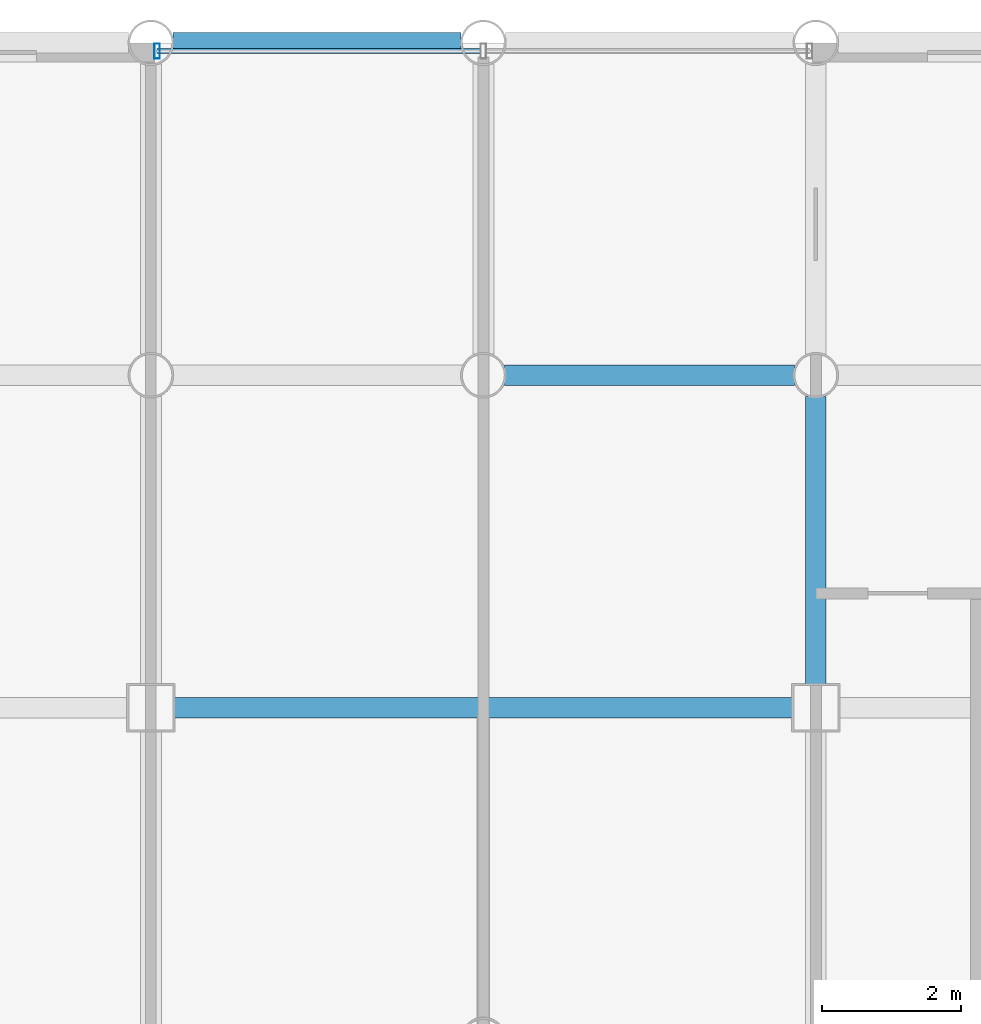
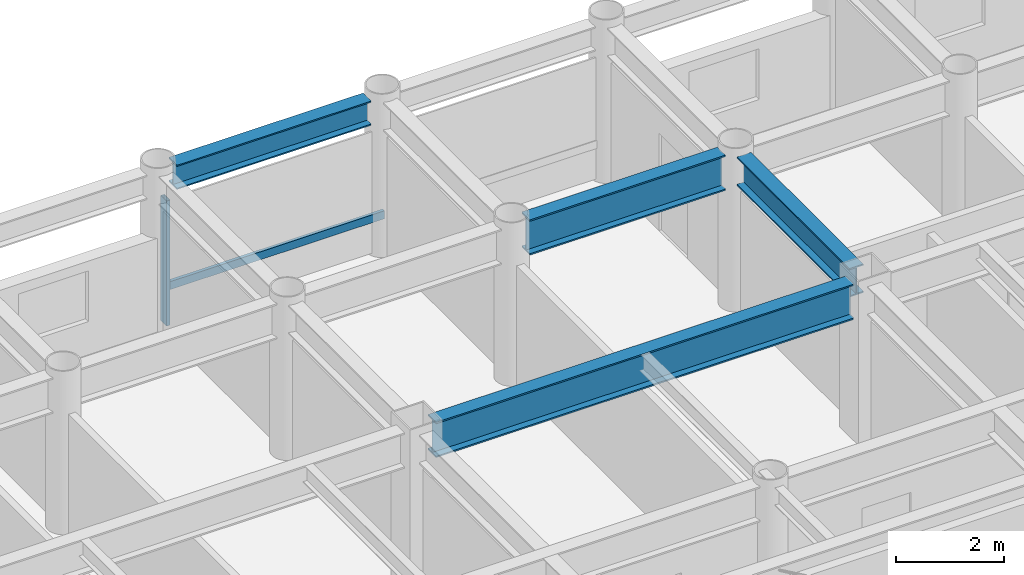
# One storey, part 12 of 21: 4 beams, 2 members, 1 element without a shape of its own.
"""IFC4 building model written with IfcOpenShell, lengths in metres."""

import ifcopenshell
import ifcopenshell.guid

model = None  # the IFC model being written
_history = None  # IfcOwnerHistory: only IFC2X3 demands one
_inside = {}  # id of a spatial element -> (the spatial element, [elements in it])
_under = {}  # id of a project, library or spatial element -> (it, [spatial elements below it])
_declared = {}  # id of a project -> (the project, [libraries it declares])
_typed = {}  # id of a type object -> (the type object, [elements of that type])
_made_of = {}  # id of a material, layer set ... -> (it, [elements and type objects made of it])


def new_model(schema):
    """Start an empty IFC model of exactly this schema.

    Asked for "IFC4X3", IfcOpenShell would pick the latest addendum, in which some entities
    have other attributes; the version numbers below select the first issue.
    IFC2X3 requires an IfcOwnerHistory on every rooted entity: one is made here for all.
    """
    global model, _history
    if schema == "IFC4X3":
        model = ifcopenshell.file(schema_version=(4, 3, 0, 0))
    else:
        model = ifcopenshell.file(schema=schema)
    _inside.clear()
    _under.clear()
    _declared.clear()
    _typed.clear()
    _made_of.clear()
    _history = None
    if model.schema == "IFC2X3":
        org = make("IfcOrganization", Name="unknown")
        user = make(
            "IfcPersonAndOrganization",
            ThePerson=make("IfcPerson", FamilyName="unknown"),
            TheOrganization=org,
        )
        app = make(
            "IfcApplication",
            ApplicationDeveloper=org,
            Version="unknown",
            ApplicationFullName="unknown",
            ApplicationIdentifier="unknown",
        )
        _history = make(
            "IfcOwnerHistory",
            OwningUser=user,
            OwningApplication=app,
            ChangeAction="ADDED",
            CreationDate=0,
        )
    return model


def make(cls, **values):
    """One entity of the class cls with the attributes given. An attribute that is None is left unset."""
    return model.create_entity(
        cls, **{name: value for name, value in values.items() if value is not None}
    )


def rooted(cls, **values):
    """An entity with a GlobalId (a new one), such as an element, a storey or a relation."""
    return make(cls, GlobalId=ifcopenshell.guid.new(), OwnerHistory=_history, **values)


def si_unit(unit_type, name, prefix=None):
    """IfcSIUnit, for example si_unit("LENGTHUNIT", "METRE", prefix="MILLI")."""
    return make("IfcSIUnit", UnitType=unit_type, Prefix=prefix, Name=name)


def assignment(units):
    """IfcUnitAssignment: the units of a project."""
    return None if units is None else make("IfcUnitAssignment", Units=units)


def point(xyz):
    """IfcCartesianPoint."""
    return None if xyz is None else make("IfcCartesianPoint", Coordinates=xyz)


def direction(xyz):
    """IfcDirection."""
    return None if xyz is None else make("IfcDirection", DirectionRatios=xyz)


def frame(location, z_axis=None, x_axis=None):
    """IfcAxis2Placement3D, a coordinate frame: its origin and axes. An axis left out is left unset."""
    return make(
        "IfcAxis2Placement3D",
        Location=point(location),
        Axis=direction(z_axis),
        RefDirection=direction(x_axis),
    )


def frame_2d(location, x_axis=None):
    """IfcAxis2Placement2D, a coordinate frame in the plane: its origin and x axis."""
    return make(
        "IfcAxis2Placement2D", Location=point(location), RefDirection=direction(x_axis)
    )


def origin():
    """The frame at (0, 0, 0) with its axes left unset."""
    return frame((0.0, 0.0, 0.0))


def origin_2d():
    """The frame at (0, 0) in the plane with its x axis left unset."""
    return frame_2d((0.0, 0.0))


def place(relative_to, where):
    """IfcLocalPlacement: puts the frame where relative to a parent placement (None: the world)."""
    return make(
        "IfcLocalPlacement", PlacementRelTo=relative_to, RelativePlacement=where
    )


def context(
    kind, dimensions, precision=None, world=None, true_north=None, identifier=None
):
    """IfcGeometricRepresentationContext, for example the 3D "Model" context."""
    return make(
        "IfcGeometricRepresentationContext",
        ContextIdentifier=identifier,
        ContextType=kind,
        CoordinateSpaceDimension=dimensions,
        Precision=precision,
        WorldCoordinateSystem=world,
        TrueNorth=true_north,
    )


def subcontext(parent, identifier, kind, view, scale=None):
    """IfcGeometricRepresentationSubContext, for example "Body" below "Model"."""
    return make(
        "IfcGeometricRepresentationSubContext",
        ContextIdentifier=identifier,
        ContextType=kind,
        ParentContext=parent,
        TargetScale=scale,
        TargetView=view,
    )


def project(units=None, contexts=None):
    """IfcProject with its units and contexts."""
    return rooted(
        "IfcProject",
        Name="project",
        RepresentationContexts=contexts,
        UnitsInContext=assignment(units),
    )


def spatial(cls, under=None, at=None, **own):
    """A site, building, storey or space (cls), placed at a placement, below another one or the project."""
    s = rooted(cls, ObjectPlacement=at, **own)
    if under is not None:
        _under.setdefault(under.id(), (under, []))[1].append(s)
    return s


def profile(cls, at=None, kind="AREA", **sizes):
    """A parametric profile (cls). Its sizes go by their IFC names, for example OverallWidth=200.0."""
    return make(cls, ProfileType=kind, Position=at, **sizes)


def hollow_rectangle(**sizes):
    """IfcRectangleHollowProfileDef."""
    return profile("IfcRectangleHollowProfileDef", **sizes)


def i_section(**sizes):
    """IfcIShapeProfileDef."""
    return profile("IfcIShapeProfileDef", **sizes)


def extrude(swept, where, along, depth):
    """IfcExtrudedAreaSolid: the profile swept, set in the frame where, extruded along a direction by depth."""
    return make(
        "IfcExtrudedAreaSolid",
        SweptArea=swept,
        Position=where,
        ExtrudedDirection=direction(along),
        Depth=depth,
    )


def shape(context_of_items, identifier, shape_type, items):
    """IfcShapeRepresentation: the items that make up one representation, for example the "Body"."""
    return make(
        "IfcShapeRepresentation",
        ContextOfItems=context_of_items,
        RepresentationIdentifier=identifier,
        RepresentationType=shape_type,
        Items=items,
    )


def material(Name=None, Category=None):
    """IfcMaterial."""
    return make("IfcMaterial", Name=Name, Category=Category)


def layer(
    of_material, thickness, ventilated=None, Name=None, Category=None, Priority=None
):
    """IfcMaterialLayer: one layer of a wall or slab, of a material (None: an air gap)."""
    return make(
        "IfcMaterialLayer",
        Material=of_material,
        LayerThickness=thickness,
        IsVentilated=ventilated,
        Name=Name,
        Category=Category,
        Priority=Priority,
    )


def layer_set(layers, Name=None):
    """IfcMaterialLayerSet."""
    return make("IfcMaterialLayerSet", MaterialLayers=layers, LayerSetName=Name)


def material_profile(
    of_material, cross_section, Name=None, Category=None, Priority=None
):
    """IfcMaterialProfile: a cross section and its material."""
    return make(
        "IfcMaterialProfile",
        Name=Name,
        Material=of_material,
        Profile=cross_section,
        Priority=Priority,
        Category=Category,
    )


def profile_set(profiles, Name=None, composite=None):
    """IfcMaterialProfileSet."""
    return make(
        "IfcMaterialProfileSet",
        Name=Name,
        MaterialProfiles=profiles,
        CompositeProfile=composite,
    )


def made_of(thing, what):
    """Note that an element or type object is made of a material, layer set ...; save() writes the relation."""
    if what is not None:
        _made_of.setdefault(what.id(), (what, []))[1].append(thing)
    return thing


def type_object(cls, material=None, **own):
    """A type object (cls), such as IfcWallType, which elements share."""
    return made_of(rooted(cls, **own), material)


def element(
    cls,
    number,
    at=None,
    inside=None,
    cuts=None,
    type_object=None,
    material=None,
    context=None,
    identifier="Body",
    shape_type=None,
    held_by="IfcProductDefinitionShape",
    body=None,
    shapes=None,
    **own,
):
    """One element of the class cls, such as IfcWall. Its Tag is "e" and its number.

    at: its placement. inside: the storey or other place that contains it. cuts: it is an
    opening in that element (IfcRelVoidsElement). A single representation is given by context,
    identifier, shape_type and body (its items); several are given by shapes. held_by: the class
    of the entity that holds the representations. save() writes the other relations.
    """
    e = rooted(cls, Tag="e%d" % number, ObjectPlacement=at, **own)
    if body is not None:
        shapes = [shape(context, identifier, shape_type, body)]
    if shapes is not None:
        e.Representation = make(held_by, Representations=shapes)
    if inside is not None:
        _inside.setdefault(inside.id(), (inside, []))[1].append(e)
    if cuts is not None:
        rooted(
            "IfcRelVoidsElement", RelatingBuildingElement=cuts, RelatedOpeningElement=e
        )
    if type_object is not None:
        _typed.setdefault(type_object.id(), (type_object, []))[1].append(e)
    return made_of(e, material)


def aggregate(whole, parts):
    """IfcRelAggregates: a whole, such as a stair, and the parts it consists of."""
    return rooted("IfcRelAggregates", RelatingObject=whole, RelatedObjects=parts)


def save(model, path):
    """Write the relations noted so far, then the file.

    IfcRelAggregates (storeys below a building ...), IfcRelContainedInSpatialStructure (elements
    in a storey), IfcRelDefinesByType, IfcRelAssociatesMaterial and IfcRelDeclares: one each for
    every whole, place, type object, material and project.
    """
    for whole, parts in _under.values():
        aggregate(whole, parts)
    for where, things in _inside.values():
        rooted(
            "IfcRelContainedInSpatialStructure",
            RelatedElements=things,
            RelatingStructure=where,
        )
    for kind, things in _typed.values():
        rooted("IfcRelDefinesByType", RelatedObjects=things, RelatingType=kind)
    for what, things in _made_of.values():
        rooted("IfcRelAssociatesMaterial", RelatedObjects=things, RelatingMaterial=what)
    for by, libraries in _declared.values():
        rooted("IfcRelDeclares", RelatingContext=by, RelatedDefinitions=libraries)
    model.write(path)


model = new_model("IFC4")

# Units and contexts
model_context = context("Model", 3, precision=1e-05, world=origin(), true_north=direction((0.0, 1.0)))
body_context = subcontext(model_context, "Body", "Model", "MODEL_VIEW")
ifc_project = project(units=[si_unit("LENGTHUNIT", "METRE"), si_unit("AREAUNIT", "SQUARE_METRE"), si_unit("VOLUMEUNIT", "CUBIC_METRE"), si_unit("PLANEANGLEUNIT", "RADIAN"), si_unit("MASSUNIT", "GRAM", prefix="KILO")], contexts=[model_context])

# Site, building, storey
site_placement = place(None, origin())
site = spatial("IfcSite", under=ifc_project, at=site_placement, CompositionType="ELEMENT")
building_placement = place(site_placement, origin())
building = spatial("IfcBuilding", under=site, at=building_placement, Name="Kallvorn Hotel Tower", CompositionType="ELEMENT")
storey_placement = place(building_placement, frame((0.0, 0.0, 139.60009765625)))
storey = spatial("IfcBuildingStorey", under=building, at=storey_placement, Name="L34", CompositionType="ELEMENT", Elevation=139.60009765625)

# Beams
ifc_material_1 = material(Name="Structural steel S355JR", Category="steel")
ifc_material_profile_1 = material_profile(ifc_material_1, i_section(OverallWidth=0.300048828125, OverallDepth=0.550048828125, WebThickness=0.014892578125, FlangeThickness=0.029052734375, at=origin_2d()), Name="HE 550 B")
ifc_profile_set_1 = profile_set([ifc_material_profile_1], Name="Structural steel S355JR")
beam_type_1 = type_object("IfcBeamType", Name="BM_HE550B", PredefinedType="SPANDREL", material=ifc_profile_set_1)
beam_1_placement = place(storey_placement, frame((-4.47998046875, 24.0, 3.244873046875), z_axis=(1.0, 0.0, 0.0), x_axis=(0.0, 1.0, 0.0)))
element("IfcBeam", 1, at=beam_1_placement, inside=storey, type_object=beam_type_1, Name="L35 Perimeter Spandrel 168", PredefinedType="SPANDREL", context=body_context, shape_type="SweptSolid", body=[
    extrude(i_section(OverallWidth=0.300048828125, OverallDepth=0.550048828125, WebThickness=0.014892578125, FlangeThickness=0.029052734375, at=origin_2d()), origin(), (0.0, 0.0, 1.0), 4.159912109375),
])
ifc_material_2 = material(Name="Structural steel S355JR", Category="steel")
ifc_material_profile_2 = material_profile(ifc_material_2, i_section(OverallWidth=0.300048828125, OverallDepth=0.64990234375, WebThickness=0.01611328125, FlangeThickness=0.031005859375, at=origin_2d()), Name="HE 650 B")
ifc_profile_set_2 = profile_set([ifc_material_profile_2], Name="Structural steel S355JR")
beam_type_2 = type_object("IfcBeamType", Name="BM_HE650B", PredefinedType="BEAM", material=ifc_profile_set_2)
beam_2_placement = place(storey_placement, frame((4.800048828125, 14.72509765625, 3.19482421875), z_axis=(0.0, 1.0, 0.0), x_axis=(-1.0, 0.0, 0.0)))
element("IfcBeam", 2, at=beam_2_placement, inside=storey, type_object=beam_type_2, Name="L35 Primary Y-Girder 117", PredefinedType="BEAM", context=body_context, shape_type="SweptSolid", body=[
    extrude(i_section(OverallWidth=0.300048828125, OverallDepth=0.64990234375, WebThickness=0.01611328125, FlangeThickness=0.031005859375, at=origin_2d()), origin(), (0.0, 0.0, 1.0), 4.169921875),
])
ifc_material_3 = material(Name="Structural steel S355JR", Category="steel")
ifc_material_profile_3 = material_profile(ifc_material_3, i_section(OverallWidth=0.300048828125, OverallDepth=0.800048828125, WebThickness=0.017578125, FlangeThickness=0.032958984375, at=origin_2d()), Name="HE 800 B")
ifc_profile_set_3 = profile_set([ifc_material_profile_3], Name="Structural steel S355JR")
beam_type_3 = type_object("IfcBeamType", Name="BM_HE800B", PredefinedType="BEAM", material=ifc_profile_set_3)
beam_3_placement = place(storey_placement, frame((-4.47509765625, 14.39990234375, 3.119873046875), z_axis=(1.0, 0.0, 0.0), x_axis=(0.0, 1.0, 0.0)))
element("IfcBeam", 3, at=beam_3_placement, inside=storey, type_object=beam_type_3, Name="L35 Primary X-Girder 55", PredefinedType="BEAM", context=body_context, shape_type="SweptSolid", body=[
    extrude(i_section(OverallWidth=0.300048828125, OverallDepth=0.800048828125, WebThickness=0.017578125, FlangeThickness=0.032958984375, at=origin_2d()), origin(), (0.0, 0.0, 1.0), 8.9501953125),
])
beam_4_placement = place(storey_placement, frame((0.304931640625, 19.199951171875, 3.119873046875), z_axis=(1.0, 0.0, 0.0), x_axis=(0.0, 1.0, 0.0)))
element("IfcBeam", 4, at=beam_4_placement, inside=storey, type_object=beam_type_3, Name="L35 Primary X-Girder 67", PredefinedType="BEAM", context=body_context, shape_type="SweptSolid", body=[
    extrude(i_section(OverallWidth=0.300048828125, OverallDepth=0.800048828125, WebThickness=0.017578125, FlangeThickness=0.032958984375, at=origin_2d()), origin(), (0.0, 0.0, 1.0), 4.190185546875),
])

# Curtain wall, members
ifc_material_4 = material(Name="Thermally broken black-anodised aluminium AA 6063-T6", Category="aluminium")
ifc_layer = layer(ifc_material_4, 0.2099609375)
ifc_layer_set = layer_set([ifc_layer], Name="CW_SYS_4_HOTEL_MID")
curtain_wall_type = type_object("IfcCurtainWallType", Name="CW_SYS_4_HOTEL_MID", PredefinedType="USERDEFINED", material=ifc_layer_set)
curtain_wall_placement = place(storey_placement, origin())
curtain_wall = element("IfcCurtainWall", 5, at=curtain_wall_placement, inside=storey, type_object=curtain_wall_type, Name="L34 Dark-Glass Curtain Wall CW-L34-NC", ObjectType="UNITISED CURTAIN WALL", PredefinedType="USERDEFINED")
ifc_material_5 = material(Name="Thermally broken black-anodised aluminium AA 6063-T6", Category="aluminium")
ifc_material_profile_4 = material_profile(ifc_material_5, hollow_rectangle(XDim=0.080078125, YDim=0.219970703125, WallThickness=0.0048828125, at=origin_2d()), Name="MUL 220x80")
ifc_profile_set_4 = profile_set([ifc_material_profile_4], Name="Thermally broken black-anodised aluminium AA 6063-T6")
member_type_1 = type_object("IfcMemberType", Name="CW_MULLION_220x80", PredefinedType="MULLION", material=ifc_profile_set_4)
member_1_placement = place(storey_placement, frame((-4.7099609375, 23.8798828125, 0.02001953125), z_axis=(0.0, 0.0, 1.0), x_axis=(1.0, 0.0, 0.0)))
member_1 = element("IfcMember", 6, at=member_1_placement, type_object=member_type_1, Name="CW-L34-NC Mullion 00", PredefinedType="MULLION", context=body_context, shape_type="SweptSolid", body=[
    extrude(hollow_rectangle(XDim=0.080078125, YDim=0.219970703125, WallThickness=0.0048828125, at=origin_2d()), origin(), (0.0, 0.0, 1.0), 2.829833984375),
])
ifc_material_6 = material(Name="Thermally broken black-anodised aluminium AA 6063-T6", Category="aluminium")
ifc_material_profile_5 = material_profile(ifc_material_6, hollow_rectangle(XDim=0.070068359375, YDim=0.179931640625, WallThickness=0.00390625, at=origin_2d()), Name="TRN 180x70")
ifc_profile_set_5 = profile_set([ifc_material_profile_5], Name="Thermally broken black-anodised aluminium AA 6063-T6")
member_type_2 = type_object("IfcMemberType", Name="CW_TRANSOM_180x70", PredefinedType="USERDEFINED", material=ifc_profile_set_5)
member_2_placement = place(storey_placement, frame((-4.7099609375, 23.8798828125, 0.849853515625), z_axis=(1.0, 0.0, 0.0), x_axis=(0.0, 1.0, 0.0)))
member_2 = element("IfcMember", 7, at=member_2_placement, type_object=member_type_2, Name="CW-L34-NC Transom 00M", ObjectType="TRANSOM", PredefinedType="USERDEFINED", context=body_context, shape_type="SweptSolid", body=[
    extrude(hollow_rectangle(XDim=0.070068359375, YDim=0.179931640625, WallThickness=0.00390625, at=origin_2d()), origin(), (0.0, 0.0, 1.0), 4.669921875),
])
aggregate(curtain_wall, [member_1, member_2])

save(model, "model.ifc")
